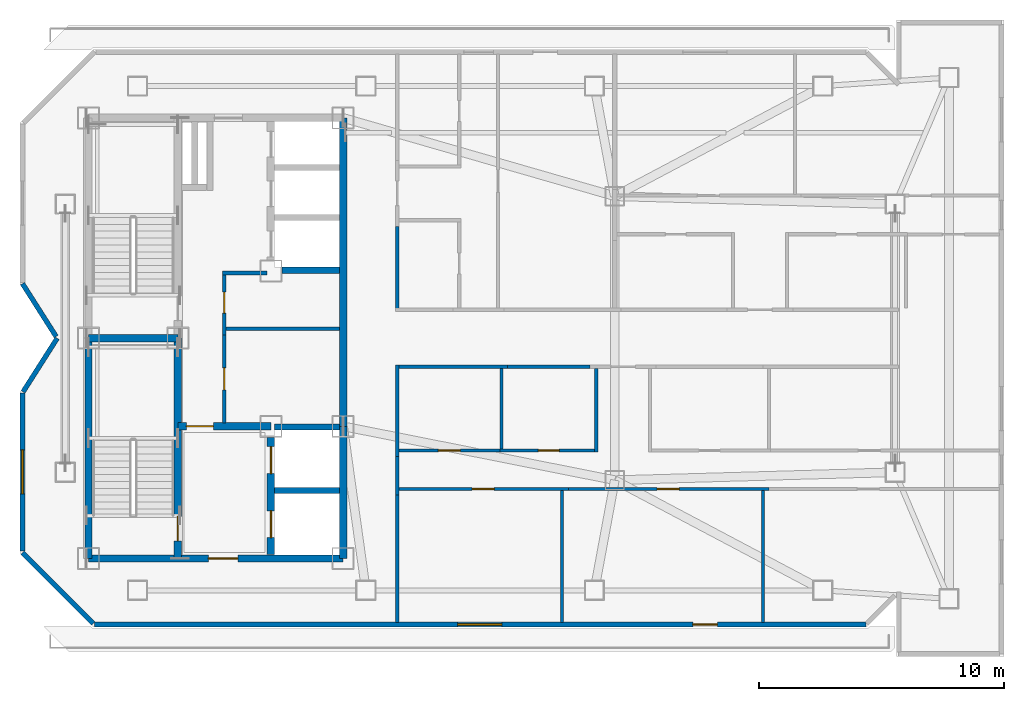
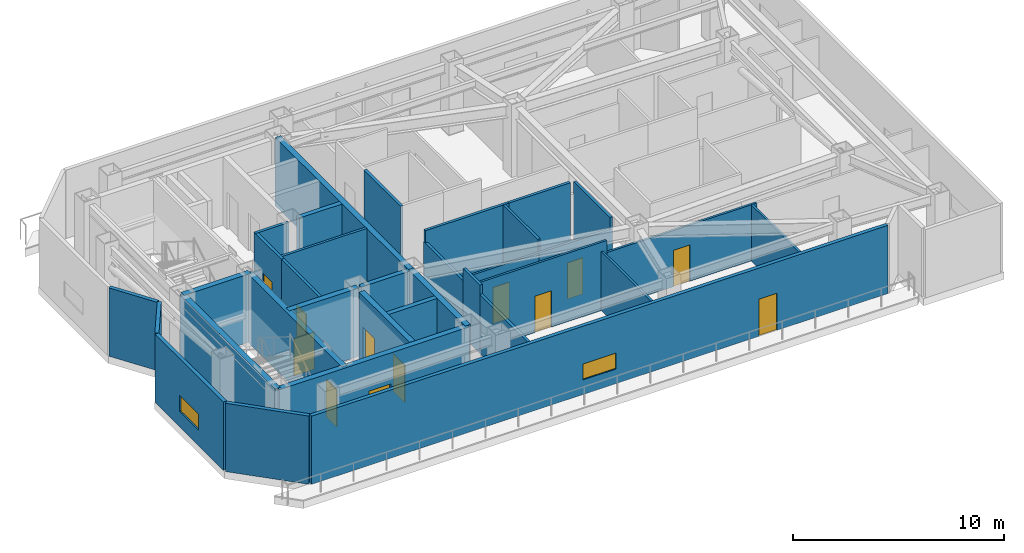
# One storey, part 4 of 10: 34 walls, 12 doors, 2 windows, 14 openings.
"""IFC4 building model written with IfcOpenShell, lengths in metres."""

from ifc_helpers import new_model, si_unit, direction, frame, frame_2d, origin, place, context, subcontext, project, spatial, rectangle, extrude, material, layer, layer_set, type_object, element, fill, save


model = new_model("IFC4")

# Units and contexts
model_context = context("Model", 3, precision=1e-05, world=origin(), true_north=direction((0.0, 1.0)))
body_context = subcontext(model_context, "Body", "Model", "MODEL_VIEW")
ifc_project = project(units=[si_unit("LENGTHUNIT", "METRE"), si_unit("AREAUNIT", "SQUARE_METRE"), si_unit("VOLUMEUNIT", "CUBIC_METRE"), si_unit("PLANEANGLEUNIT", "RADIAN"), si_unit("MASSUNIT", "GRAM", prefix="KILO")], contexts=[model_context])

# Site, building, storey
site_placement = place(None, origin())
site = spatial("IfcSite", under=ifc_project, at=site_placement, CompositionType="ELEMENT")
building_placement = place(site_placement, origin())
building = spatial("IfcBuilding", under=site, at=building_placement, Name="Khamvora Tower", CompositionType="ELEMENT")
storey_placement = place(building_placement, frame((0.0, 0.0, 294.64990234375)))
storey = spatial("IfcBuildingStorey", under=building, at=storey_placement, Name="L75", CompositionType="ELEMENT", Elevation=294.64990234375)

# Wall
ifc_material_1 = material(Name="Concrete C50/60", Category="concrete")
ifc_layer_1 = layer(ifc_material_1, 0.300048828125)
ifc_layer_set_1 = layer_set([ifc_layer_1], Name="Concrete C50/60")
wall_type_1 = type_object("IfcWallType", Name="WAL-CORE-300", PredefinedType="SHEAR", material=ifc_layer_set_1)
wall_1_placement = place(storey_placement, frame((29.0, 19.0, 0.0), z_axis=(0.0, 0.0, 1.0), x_axis=(0.0, 1.0, 0.0)))
element("IfcWall", 1, at=wall_1_placement, inside=storey, type_object=wall_type_1, Name="L75 central core west south wall", PredefinedType="SHEAR", context=body_context, shape_type="SweptSolid", body=[
    extrude(rectangle(XDim=9.0, YDim=0.300048828125, at=frame_2d((4.5, 0.0))), origin(), (0.0, 0.0, 1.0), 3.9501953125),
])

# Wall, opening, door
wall_2_placement = place(storey_placement, frame((29.0, 19.0, 0.0), z_axis=(0.0, 0.0, 1.0), x_axis=(1.0, 0.0, 0.0)))
wall_2 = element("IfcWall", 2, at=wall_2_placement, inside=storey, type_object=wall_type_1, Name="L75 central core south wall", PredefinedType="SHEAR", context=body_context, shape_type="SweptSolid", body=[
    extrude(rectangle(XDim=10.39990234375, YDim=0.300048828125, at=frame_2d((5.199951171875, 0.0))), origin(), (0.0, 0.0, 1.0), 3.9501953125),
])
opening_1_placement = place(wall_2_placement, frame((4.89990234375, 0.0, 0.0)))
opening_1 = element("IfcOpeningElement", 3, at=opening_1_placement, cuts=wall_2, Name="Opening D-CR1", PredefinedType="OPENING", context=body_context, shape_type="SweptSolid", body=[
    extrude(rectangle(XDim=1.199951171875, YDim=2.14990234375, at=frame_2d((0.60009765625, 1.074951171875))), frame((0.0, 0.159912109375, 0.0), z_axis=(0.0, -1.0, 0.0), x_axis=(1.0, 0.0, 0.0)), (0.0, 0.0, 1.0), 0.320068359375),
])
ifc_material_2 = material(Name="Powder-Coated Steel and Hardwood Leaf", Category="steel")
door_type_1 = type_object("IfcDoorType", Name="DOR-CORR-1200", OperationType="NOTDEFINED", PredefinedType="DOOR", material=ifc_material_2)
door_1_placement = place(opening_1_placement, origin())
door_1 = element("IfcDoor", 4, at=door_1_placement, inside=storey, type_object=door_type_1, Name="L75 south core lobby to corridor fire door", OperationType="SINGLE_SWING_LEFT", OverallHeight=2.14990234375, OverallWidth=1.199951171875, PredefinedType="DOOR", context=body_context, shape_type="SweptSolid", body=[
    extrude(rectangle(XDim=1.199951171875, YDim=2.14990234375, at=frame_2d((0.60009765625, 1.074951171875))), frame((0.0, 0.02490234375, 0.0), z_axis=(0.0, -1.0, 0.0), x_axis=(1.0, 0.0, 0.0)), (0.0, 0.0, 1.0), 0.050048828125),
])
fill(opening_1, door_1)

# Walls
wall_3_placement = place(storey_placement, frame((39.39990234375, 19.0, 0.0), z_axis=(0.0, 0.0, 1.0), x_axis=(0.0, 1.0, 0.0)))
element("IfcWall", 5, at=wall_3_placement, inside=storey, type_object=wall_type_1, Name="L75 central core east south wall", PredefinedType="SHEAR", context=body_context, shape_type="SweptSolid", body=[
    extrude(rectangle(XDim=5.39990234375, YDim=0.300048828125, at=frame_2d((2.699951171875, 0.0))), origin(), (0.0, 0.0, 1.0), 3.9501953125),
])
wall_4_placement = place(storey_placement, frame((39.39990234375, 24.39990234375, 0.0), z_axis=(0.0, 0.0, 1.0), x_axis=(0.0, 1.0, 0.0)))
element("IfcWall", 6, at=wall_4_placement, inside=storey, type_object=wall_type_1, Name="L75 central core east north wall", PredefinedType="SHEAR", context=body_context, shape_type="SweptSolid", body=[
    extrude(rectangle(XDim=12.60009765625, YDim=0.300048828125, at=frame_2d((6.300048828125, 0.0))), origin(), (0.0, 0.0, 1.0), 3.9501953125),
])

# Wall, opening, door
wall_5_placement = place(storey_placement, frame((32.64990234375, 19.0, 0.0), z_axis=(0.0, 0.0, 1.0), x_axis=(0.0, 1.0, 0.0)))
wall_5 = element("IfcWall", 7, at=wall_5_placement, inside=storey, type_object=wall_type_1, Name="L75 central core stair south spine wall", PredefinedType="SHEAR", context=body_context, shape_type="SweptSolid", body=[
    extrude(rectangle(XDim=9.0, YDim=0.300048828125, at=frame_2d((4.5, 0.0))), origin(), (0.0, 0.0, 1.0), 3.9501953125),
])
opening_2_placement = place(wall_5_placement, frame((0.719970703125, 0.0, 0.0)))
opening_2 = element("IfcOpeningElement", 8, at=opening_2_placement, cuts=wall_5, Name="Opening D-ST1", PredefinedType="OPENING", context=body_context, shape_type="SweptSolid", body=[
    extrude(rectangle(XDim=1.0, YDim=2.14990234375, at=frame_2d((0.5, 1.074951171875))), frame((0.0, 0.159912109375, 0.0), z_axis=(0.0, -1.0, 0.0), x_axis=(1.0, 0.0, 0.0)), (0.0, 0.0, 1.0), 0.320068359375),
])
door_type_2 = type_object("IfcDoorType", Name="DOR-STAIR-1000", OperationType="NOTDEFINED", PredefinedType="DOOR", material=ifc_material_2)
door_2_placement = place(opening_2_placement, origin())
door_2 = element("IfcDoor", 9, at=door_2_placement, inside=storey, type_object=door_type_2, Name="L75 exit stair ST-01 fire door", OperationType="SINGLE_SWING_RIGHT", OverallHeight=2.14990234375, OverallWidth=1.0, PredefinedType="DOOR", context=body_context, shape_type="SweptSolid", body=[
    extrude(rectangle(XDim=1.0, YDim=2.14990234375, at=frame_2d((0.5, 1.074951171875))), frame((0.0, 0.02490234375, 0.0), z_axis=(0.0, -1.0, 0.0), x_axis=(1.0, 0.0, 0.0)), (0.0, 0.0, 1.0), 0.050048828125),
])
fill(opening_2, door_2)

# Wall
wall_6_placement = place(storey_placement, frame((29.0, 28.0, 0.0), z_axis=(0.0, 0.0, 1.0), x_axis=(1.0, 0.0, 0.0)))
element("IfcWall", 10, at=wall_6_placement, inside=storey, type_object=wall_type_1, Name="L75 central core stair cross wall", PredefinedType="SHEAR", context=body_context, shape_type="SweptSolid", body=[
    extrude(rectangle(XDim=3.64990234375, YDim=0.300048828125, at=frame_2d((1.824951171875, 0.0))), origin(), (0.0, 0.0, 1.0), 3.9501953125),
])

# Wall, opening, door
wall_7_placement = place(storey_placement, frame((32.64990234375, 24.39990234375, 0.0), z_axis=(0.0, 0.0, 1.0), x_axis=(1.0, 0.0, 0.0)))
wall_7 = element("IfcWall", 11, at=wall_7_placement, inside=storey, type_object=wall_type_1, Name="L75 central core firefighting lobby north wall", PredefinedType="SHEAR", context=body_context, shape_type="SweptSolid", body=[
    extrude(rectangle(XDim=3.800048828125, YDim=0.300048828125, at=frame_2d((1.89990234375, 0.0))), origin(), (0.0, 0.0, 1.0), 3.9501953125),
])
opening_3_placement = place(wall_7_placement, frame((0.35009765625, 0.0, 0.0)))
opening_3 = element("IfcOpeningElement", 12, at=opening_3_placement, cuts=wall_7, Name="Opening D-FF1", PredefinedType="OPENING", context=body_context, shape_type="SweptSolid", body=[
    extrude(rectangle(XDim=1.10009765625, YDim=2.14990234375, at=frame_2d((0.550048828125, 1.074951171875))), frame((0.0, 0.159912109375, 0.0), z_axis=(0.0, -1.0, 0.0), x_axis=(1.0, 0.0, 0.0)), (0.0, 0.0, 1.0), 0.320068359375),
])
door_type_3 = type_object("IfcDoorType", Name="DOR-FFLOB-1100", OperationType="NOTDEFINED", PredefinedType="DOOR", material=ifc_material_2)
door_3_placement = place(opening_3_placement, origin())
door_3 = element("IfcDoor", 13, at=door_3_placement, inside=storey, type_object=door_type_3, Name="L75 firefighting lobby smoke-seal fire door", OperationType="SINGLE_SWING_RIGHT", OverallHeight=2.14990234375, OverallWidth=1.10009765625, PredefinedType="DOOR", context=body_context, shape_type="SweptSolid", body=[
    extrude(rectangle(XDim=1.10009765625, YDim=2.14990234375, at=frame_2d((0.550048828125, 1.074951171875))), frame((0.0, 0.02490234375, 0.0), z_axis=(0.0, -1.0, 0.0), x_axis=(1.0, 0.0, 0.0)), (0.0, 0.0, 1.0), 0.050048828125),
])
fill(opening_3, door_3)

# Wall, openings, doors
wall_8_placement = place(storey_placement, frame((36.449951171875, 19.154052734375, 0.0), z_axis=(0.0, 0.0, 1.0), x_axis=(0.0, 1.0, 0.0)))
wall_8 = element("IfcWall", 14, at=wall_8_placement, inside=storey, type_object=wall_type_1, Name="L75 central core lift bank south wall", PredefinedType="SHEAR", context=body_context, shape_type="SweptSolid", body=[
    extrude(rectangle(XDim=4.7958984375, YDim=0.300048828125, at=frame_2d((2.39794921875, 0.0))), origin(), (0.0, 0.0, 1.0), 3.9501953125),
])
opening_4_placement = place(wall_8_placement, frame((0.696044921875, 0.0, 0.0)))
opening_4 = element("IfcOpeningElement", 15, at=opening_4_placement, cuts=wall_8, Name="Opening LD-FFL", PredefinedType="OPENING", context=body_context, shape_type="SweptSolid", body=[
    extrude(rectangle(XDim=1.10009765625, YDim=2.14990234375, at=frame_2d((0.550048828125, 1.074951171875))), frame((0.0, 0.159912109375, 0.0), z_axis=(0.0, -1.0, 0.0), x_axis=(1.0, 0.0, 0.0)), (0.0, 0.0, 1.0), 0.320068359375),
])
opening_5_placement = place(wall_8_placement, frame((3.31591796875, 0.0, 0.0)))
opening_5 = element("IfcOpeningElement", 16, at=opening_5_placement, cuts=wall_8, Name="Opening LD-FFL", PredefinedType="OPENING", context=body_context, shape_type="SweptSolid", body=[
    extrude(rectangle(XDim=1.10009765625, YDim=2.14990234375, at=frame_2d((0.550048828125, 1.074951171875))), frame((0.0, 0.159912109375, 0.0), z_axis=(0.0, -1.0, 0.0), x_axis=(1.0, 0.0, 0.0)), (0.0, 0.0, 1.0), 0.320068359375),
])
door_type_4 = type_object("IfcDoorType", Name="DOR-LIFT-1100", OperationType="SLIDING_TO_LEFT", PredefinedType="DOOR", material=ifc_material_2)
door_4_placement = place(opening_4_placement, origin())
door_4 = element("IfcDoor", 17, at=door_4_placement, inside=storey, type_object=door_type_4, Name="L75 lift landing sliding door FFL-01", OperationType="SLIDING_TO_LEFT", OverallHeight=2.14990234375, OverallWidth=1.10009765625, PredefinedType="DOOR", context=body_context, shape_type="SweptSolid", body=[
    extrude(rectangle(XDim=1.10009765625, YDim=2.14990234375, at=frame_2d((0.550048828125, 1.074951171875))), frame((0.0, 0.02490234375, 0.0), z_axis=(0.0, -1.0, 0.0), x_axis=(1.0, 0.0, 0.0)), (0.0, 0.0, 1.0), 0.050048828125),
])
fill(opening_4, door_4)
door_5_placement = place(opening_5_placement, origin())
door_5 = element("IfcDoor", 18, at=door_5_placement, inside=storey, type_object=door_type_4, Name="L75 lift landing sliding door FFL-02", OperationType="SLIDING_TO_LEFT", OverallHeight=2.14990234375, OverallWidth=1.10009765625, PredefinedType="DOOR", context=body_context, shape_type="SweptSolid", body=[
    extrude(rectangle(XDim=1.10009765625, YDim=2.14990234375, at=frame_2d((0.550048828125, 1.074951171875))), frame((0.0, 0.02490234375, 0.0), z_axis=(0.0, -1.0, 0.0), x_axis=(1.0, 0.0, 0.0)), (0.0, 0.0, 1.0), 0.050048828125),
])
fill(opening_5, door_5)

# Wall
ifc_material_3 = material(Name="Fire-Rated Drywall and Steel Stud", Category="steel")
ifc_layer_2 = layer(ifc_material_3, 0.14990234375)
ifc_layer_set_2 = layer_set([ifc_layer_2], Name="Fire-Rated Drywall and Steel Stud")
wall_type_2 = type_object("IfcWallType", Name="WAL-CORR-150", PredefinedType="STANDARD", material=ifc_layer_set_2)
wall_9_placement = place(storey_placement, frame((36.300048828125, 30.6650390625, 0.0), z_axis=(0.0, 0.0, 1.0), x_axis=(-1.0, 0.0, 0.0)))
element("IfcWall", 19, at=wall_9_placement, inside=storey, type_object=wall_type_2, Name="L75 interior partition wall 001", PredefinedType="STANDARD", context=body_context, shape_type="SweptSolid", body=[
    extrude(rectangle(XDim=1.820068359375, YDim=0.14990234375, at=frame_2d((0.91015625, 0.0))), origin(), (0.0, 0.0, 1.0), 3.9501953125),
])

# Wall, opening, door
wall_10_placement = place(storey_placement, frame((34.544921875, 30.72998046875, 0.0), z_axis=(0.0, 0.0, 1.0), x_axis=(0.0, -1.0, 0.0)))
wall_10 = element("IfcWall", 20, at=wall_10_placement, inside=storey, type_object=wall_type_2, Name="L75 interior partition wall 002", PredefinedType="STANDARD", context=body_context, shape_type="SweptSolid", body=[
    extrude(rectangle(XDim=2.593994140625, YDim=0.14990234375, at=frame_2d((1.296875, 0.0))), origin(), (0.0, 0.0, 1.0), 3.9501953125),
])
opening_6_placement = place(wall_10_placement, frame((0.85107421875, 0.0, 0.0)))
opening_6 = element("IfcOpeningElement", 21, at=opening_6_placement, cuts=wall_10, Name="Opening D-WC1", PredefinedType="OPENING", context=body_context, shape_type="SweptSolid", body=[
    extrude(rectangle(XDim=0.85009765625, YDim=2.10009765625, at=frame_2d((0.425048828125, 1.050048828125))), frame((0.0, 0.0849609375, 0.0), z_axis=(0.0, -1.0, 0.0), x_axis=(1.0, 0.0, 0.0)), (0.0, 0.0, 1.0), 0.169921875),
])
door_type_5 = type_object("IfcDoorType", Name="DOR-WET-850", OperationType="NOTDEFINED", PredefinedType="DOOR", material=ifc_material_2)
door_6_placement = place(opening_6_placement, origin())
door_6 = element("IfcDoor", 22, at=door_6_placement, inside=storey, type_object=door_type_5, Name="L75 interior door PHL-CS1", OperationType="SINGLE_SWING_LEFT", OverallHeight=2.10009765625, OverallWidth=0.85009765625, PredefinedType="DOOR", context=body_context, shape_type="SweptSolid", body=[
    extrude(rectangle(XDim=0.85009765625, YDim=2.10009765625, at=frame_2d((0.425048828125, 1.050048828125))), frame((0.0, 0.02490234375, 0.0), z_axis=(0.0, -1.0, 0.0), x_axis=(1.0, 0.0, 0.0)), (0.0, 0.0, 1.0), 0.050048828125),
])
fill(opening_6, door_6)

wall_11_placement = place(storey_placement, frame((34.544921875, 28.135986328125, 0.0), z_axis=(0.0, 0.0, 1.0), x_axis=(0.0, -1.0, 0.0)))
wall_11 = element("IfcWall", 23, at=wall_11_placement, inside=storey, type_object=wall_type_2, Name="L75 interior partition wall 003", PredefinedType="STANDARD", context=body_context, shape_type="SweptSolid", body=[
    extrude(rectangle(XDim=3.592041015625, YDim=0.14990234375, at=frame_2d((1.7958984375, 0.0))), origin(), (0.0, 0.0, 1.0), 3.9501953125),
])
opening_7_placement = place(wall_11_placement, frame((1.345947265625, 0.0, 0.0)))
opening_7 = element("IfcOpeningElement", 24, at=opening_7_placement, cuts=wall_11, Name="Opening D-RM1", PredefinedType="OPENING", context=body_context, shape_type="SweptSolid", body=[
    extrude(rectangle(XDim=0.89990234375, YDim=2.10009765625, at=frame_2d((0.449951171875, 1.050048828125))), frame((0.0, 0.0849609375, 0.0), z_axis=(0.0, -1.0, 0.0), x_axis=(1.0, 0.0, 0.0)), (0.0, 0.0, 1.0), 0.169921875),
])
door_type_6 = type_object("IfcDoorType", Name="DOR-ROOM-900", OperationType="NOTDEFINED", PredefinedType="DOOR", material=ifc_material_2)
door_7_placement = place(opening_7_placement, origin())
door_7 = element("IfcDoor", 25, at=door_7_placement, inside=storey, type_object=door_type_6, Name="L75 interior door PHL-CS2", OperationType="SINGLE_SWING_RIGHT", OverallHeight=2.10009765625, OverallWidth=0.89990234375, PredefinedType="DOOR", context=body_context, shape_type="SweptSolid", body=[
    extrude(rectangle(XDim=0.89990234375, YDim=2.10009765625, at=frame_2d((0.449951171875, 1.050048828125))), frame((0.0, 0.02490234375, 0.0), z_axis=(0.0, -1.0, 0.0), x_axis=(1.0, 0.0, 0.0)), (0.0, 0.0, 1.0), 0.050048828125),
])
fill(opening_7, door_7)

# Walls
wall_12_placement = place(storey_placement, frame((46.1201171875, 26.8349609375, 0.0), z_axis=(0.0, 0.0, 1.0), x_axis=(-1.0, 0.0, 0.0)))
element("IfcWall", 26, at=wall_12_placement, inside=storey, type_object=wall_type_2, Name="L75 interior partition wall 005", PredefinedType="STANDARD", context=body_context, shape_type="SweptSolid", body=[
    extrude(rectangle(XDim=4.570068359375, YDim=0.14990234375, at=frame_2d((2.28515625, 0.0))), origin(), (0.0, 0.0, 1.0), 3.9501953125),
])
wall_13_placement = place(storey_placement, frame((41.614990234375, 26.89794921875, 0.0), z_axis=(0.0, 0.0, 1.0), x_axis=(0.0, -1.0, 0.0)))
element("IfcWall", 27, at=wall_13_placement, inside=storey, type_object=wall_type_2, Name="L75 interior partition wall 006", PredefinedType="STANDARD", context=body_context, shape_type="SweptSolid", body=[
    extrude(rectangle(XDim=3.73095703125, YDim=0.14990234375, at=frame_2d((1.865478515625, 0.0))), origin(), (0.0, 0.0, 1.0), 3.2451171875),
])
wall_14_placement = place(storey_placement, frame((41.614990234375, 23.1669921875, 0.0), z_axis=(0.0, 0.0, 1.0), x_axis=(0.0, -1.0, 0.0)))
element("IfcWall", 28, at=wall_14_placement, inside=storey, type_object=wall_type_2, Name="L75 interior partition wall 009", PredefinedType="STANDARD", context=body_context, shape_type="SweptSolid", body=[
    extrude(rectangle(XDim=1.580078125, YDim=0.14990234375, at=frame_2d((0.7900390625, 0.0))), origin(), (0.0, 0.0, 1.0), 3.9501953125),
])
wall_15_placement = place(storey_placement, frame((49.487060546875, 26.8349609375, 0.0), z_axis=(0.0, 0.0, 1.0), x_axis=(-1.0, 0.0, 0.0)))
element("IfcWall", 29, at=wall_15_placement, inside=storey, type_object=wall_type_2, Name="L75 interior partition wall 010", PredefinedType="STANDARD", context=body_context, shape_type="SweptSolid", body=[
    extrude(rectangle(XDim=3.366943359375, YDim=0.14990234375, at=frame_2d((1.68359375, 0.0))), origin(), (0.0, 0.0, 1.0), 3.9501953125),
])
wall_16_placement = place(storey_placement, frame((41.614990234375, 21.5869140625, 0.0), z_axis=(0.0, 0.0, 1.0), x_axis=(0.0, -1.0, 0.0)))
element("IfcWall", 30, at=wall_16_placement, inside=storey, type_object=wall_type_2, Name="L75 interior partition wall 012", PredefinedType="STANDARD", context=body_context, shape_type="SweptSolid", body=[
    extrude(rectangle(XDim=5.19482421875, YDim=0.14990234375, at=frame_2d((2.597412109375, 0.0))), origin(), (0.0, 0.0, 1.0), 3.406982421875),
])
wall_17_placement = place(storey_placement, frame((41.614990234375, 32.56689453125, 0.0), z_axis=(0.0, 0.0, 1.0), x_axis=(0.0, -1.0, 0.0)))
element("IfcWall", 31, at=wall_17_placement, inside=storey, type_object=wall_type_2, Name="L75 interior partition wall 016", PredefinedType="STANDARD", context=body_context, shape_type="SweptSolid", body=[
    extrude(rectangle(XDim=3.46484375, YDim=0.14990234375, at=frame_2d((1.732421875, 0.0))), origin(), (0.0, 0.0, 1.0), 3.9501953125),
])

# Wall, openings, door, window
ifc_material_4 = material(Name="Precast concrete C40/50", Category="concrete")
ifc_layer_3 = layer(ifc_material_4, 0.199951171875)
ifc_layer_set_3 = layer_set([ifc_layer_3], Name="Precast concrete C40/50")
wall_type_3 = type_object("IfcWallType", Name="WAL-EXT-200", PredefinedType="STANDARD", material=ifc_layer_set_3)
wall_18_placement = place(storey_placement, frame((60.759033203125, 16.300048828125, 0.0), z_axis=(0.0, 0.0, 1.0), x_axis=(-1.0, 0.0, 0.0)))
wall_18 = element("IfcWall", 32, at=wall_18_placement, inside=storey, type_object=wall_type_3, Name="L75 exterior facade wall 01.1", PredefinedType="STANDARD", context=body_context, shape_type="SweptSolid", body=[
    extrude(rectangle(XDim=31.51806640625, YDim=0.199951171875, at=frame_2d((15.759033203125, 0.0))), origin(), (0.0, 0.0, 1.0), 3.9501953125),
])
opening_8_placement = place(wall_18_placement, frame((6.06591796875, 0.0, 0.0)))
opening_8 = element("IfcOpeningElement", 33, at=opening_8_placement, cuts=wall_18, Name="Opening BD-02", PredefinedType="OPENING", context=body_context, shape_type="SweptSolid", body=[
    extrude(rectangle(XDim=1.0, YDim=2.14990234375, at=frame_2d((0.5, 1.074951171875))), frame((0.0, 0.10986328125, 0.0), z_axis=(0.0, -1.0, 0.0), x_axis=(1.0, 0.0, 0.0)), (0.0, 0.0, 1.0), 0.219970703125),
])
opening_9_placement = place(wall_18_placement, frame((14.876953125, 0.0, 0.85009765625)))
opening_9 = element("IfcOpeningElement", 34, at=opening_9_placement, cuts=wall_18, Name="Opening WN-09", PredefinedType="OPENING", context=body_context, shape_type="SweptSolid", body=[
    extrude(rectangle(XDim=1.800048828125, YDim=0.919921875, at=frame_2d((0.89990234375, 0.4599609375))), frame((0.0, 0.10986328125, 0.0), z_axis=(0.0, -1.0, 0.0), x_axis=(1.0, 0.0, 0.0)), (0.0, 0.0, 1.0), 0.219970703125),
])
ifc_material_5 = material(Name="Anodised Aluminium and Laminated Safety Glass", Category="aluminium")
door_type_7 = type_object("IfcDoorType", Name="DOR-BAL-1000", OperationType="NOTDEFINED", PredefinedType="DOOR", material=ifc_material_5)
door_8_placement = place(opening_8_placement, origin())
door_8 = element("IfcDoor", 35, at=door_8_placement, inside=storey, type_object=door_type_7, Name="L75 stepped roof terrace access door S", OperationType="SLIDING_TO_LEFT", OverallHeight=2.14990234375, OverallWidth=1.0, PredefinedType="DOOR", context=body_context, shape_type="SweptSolid", body=[
    extrude(rectangle(XDim=1.0, YDim=2.14990234375, at=frame_2d((0.5, 1.074951171875))), frame((0.0, 0.02490234375, 0.0), z_axis=(0.0, -1.0, 0.0), x_axis=(1.0, 0.0, 0.0)), (0.0, 0.0, 1.0), 0.050048828125),
])
fill(opening_8, door_8)
ifc_material_6 = material(Name="Low-E Laminated Double Glazing", Category="glass")
window_type = type_object("IfcWindowType", Name="WIN-CLR-1800x920", PartitioningType="SINGLE_PANEL", PredefinedType="WINDOW", material=ifc_material_6)
window_1_placement = place(opening_9_placement, origin())
window_1 = element("IfcWindow", 36, at=window_1_placement, inside=storey, type_object=window_type, Name="L75 vision window 01.1.01", OverallHeight=0.919921875, OverallWidth=1.800048828125, PartitioningType="SINGLE_PANEL", PredefinedType="WINDOW", context=body_context, shape_type="SweptSolid", body=[
    extrude(rectangle(XDim=1.800048828125, YDim=0.919921875, at=frame_2d((0.89990234375, 0.4599609375))), frame((0.0, 0.030029296875, 0.0), z_axis=(0.0, -1.0, 0.0), x_axis=(1.0, 0.0, 0.0)), (0.0, 0.0, 1.0), 0.06005859375),
])
fill(opening_9, window_1)

# Wall
wall_19_placement = place(storey_placement, frame((29.196044921875, 16.344970703125, 0.0), z_axis=(0.0, 0.0, 1.0), x_axis=(-0.707106781187, 0.707106781187, 0.0)))
element("IfcWall", 37, at=wall_19_placement, inside=storey, type_object=wall_type_3, Name="L75 exterior facade wall 02.1", PredefinedType="STANDARD", context=body_context, shape_type="SweptSolid", body=[
    extrude(rectangle(XDim=4.095458984375, YDim=0.199951171875, at=frame_2d((2.0478515625, 0.0))), origin(), (0.0, 0.0, 1.0), 3.9501953125),
])

# Wall, opening, window
wall_20_placement = place(storey_placement, frame((26.300048828125, 19.303955078125, 0.0), z_axis=(0.0, 0.0, 1.0), x_axis=(0.0, 1.0, 0.0)))
wall_20 = element("IfcWall", 38, at=wall_20_placement, inside=storey, type_object=wall_type_3, Name="L75 exterior facade wall 03.1", PredefinedType="STANDARD", context=body_context, shape_type="SweptSolid", body=[
    extrude(rectangle(XDim=6.467041015625, YDim=0.199951171875, at=frame_2d((3.2333984375, 0.0))), origin(), (0.0, 0.0, 1.0), 3.9501953125),
])
opening_10_placement = place(wall_20_placement, frame((2.333984375, 0.0, 0.89990234375)))
opening_10 = element("IfcOpeningElement", 39, at=opening_10_placement, cuts=wall_20, Name="Opening WN-09", PredefinedType="OPENING", context=body_context, shape_type="SweptSolid", body=[
    extrude(rectangle(XDim=1.800048828125, YDim=0.919921875, at=frame_2d((0.89990234375, 0.4599609375))), frame((0.0, 0.10986328125, 0.0), z_axis=(0.0, -1.0, 0.0), x_axis=(1.0, 0.0, 0.0)), (0.0, 0.0, 1.0), 0.219970703125),
])
window_2_placement = place(opening_10_placement, origin())
window_2 = element("IfcWindow", 40, at=window_2_placement, inside=storey, type_object=window_type, Name="L75 vision window 03.1.01", OverallHeight=0.919921875, OverallWidth=1.800048828125, PartitioningType="SINGLE_PANEL", PredefinedType="WINDOW", context=body_context, shape_type="SweptSolid", body=[
    extrude(rectangle(XDim=1.800048828125, YDim=0.919921875, at=frame_2d((0.89990234375, 0.4599609375))), frame((0.0, 0.030029296875, 0.0), z_axis=(0.0, -1.0, 0.0), x_axis=(1.0, 0.0, 0.0)), (0.0, 0.0, 1.0), 0.06005859375),
])
fill(opening_10, window_2)

# Walls
wall_21_placement = place(storey_placement, frame((26.322998046875, 25.80810546875, 0.0), z_axis=(0.0, 0.0, 1.0), x_axis=(0.53719156007, 0.843460270428, 0.0)))
element("IfcWall", 41, at=wall_21_placement, inside=storey, type_object=wall_type_3, Name="L75 exterior facade wall 04.1", PredefinedType="STANDARD", context=body_context, shape_type="SweptSolid", body=[
    extrude(rectangle(XDim=2.5986328125, YDim=0.199951171875, at=frame_2d((1.29931640625, 0.0))), origin(), (0.0, 0.0, 1.0), 3.9501953125),
])
wall_22_placement = place(storey_placement, frame((27.675048828125, 28.068115234375, 0.0), z_axis=(0.0, 0.0, 1.0), x_axis=(-0.536844652872, 0.843681111963, 0.0)))
element("IfcWall", 42, at=wall_22_placement, inside=storey, type_object=wall_type_3, Name="L75 exterior facade wall 05.1", PredefinedType="STANDARD", context=body_context, shape_type="SweptSolid", body=[
    extrude(rectangle(XDim=2.561279296875, YDim=0.199951171875, at=frame_2d((1.28076171875, 0.0))), origin(), (0.0, 0.0, 1.0), 3.9501953125),
])

# Wall, opening, door
ifc_material_7 = material(Name="Gypsum Plasterboard Partition", Category="gypsum")
ifc_layer_4 = layer(ifc_material_7, 0.1201171875)
ifc_layer_set_4 = layer_set([ifc_layer_4], Name="Gypsum Plasterboard Partition")
wall_type_4 = type_object("IfcWallType", Name="WAL-PART-120", PredefinedType="PARTITIONING", material=ifc_layer_set_4)
wall_23_placement = place(storey_placement, frame((45.805908203125, 23.416015625, 0.0), z_axis=(0.0, 0.0, 1.0), x_axis=(-1.0, 0.0, 0.0)))
wall_23 = element("IfcWall", 43, at=wall_23_placement, inside=storey, type_object=wall_type_4, Name="L75 interior partition wall 022", PredefinedType="PARTITIONING", context=body_context, shape_type="SweptSolid", body=[
    extrude(rectangle(XDim=4.1240234375, YDim=0.1201171875, at=frame_2d((2.06201171875, 0.0))), origin(), (0.0, 0.0, 1.0), 3.2451171875),
])
opening_11_placement = place(wall_23_placement, frame((1.612060546875, 0.0, 0.0)))
opening_11 = element("IfcOpeningElement", 44, at=opening_11_placement, cuts=wall_23, Name="Opening D-RM1", PredefinedType="OPENING", context=body_context, shape_type="SweptSolid", body=[
    extrude(rectangle(XDim=0.89990234375, YDim=2.10009765625, at=frame_2d((0.449951171875, 1.050048828125))), frame((0.0, 0.070068359375, 0.0), z_axis=(0.0, -1.0, 0.0), x_axis=(1.0, 0.0, 0.0)), (0.0, 0.0, 1.0), 0.14013671875),
])
door_9_placement = place(opening_11_placement, origin())
door_9 = element("IfcDoor", 45, at=door_9_placement, inside=storey, type_object=door_type_6, Name="L75 interior door 75BW1-75BH", OperationType="SINGLE_SWING_RIGHT", OverallHeight=2.10009765625, OverallWidth=0.89990234375, PredefinedType="DOOR", context=body_context, shape_type="SweptSolid", body=[
    extrude(rectangle(XDim=0.89990234375, YDim=2.10009765625, at=frame_2d((0.449951171875, 1.050048828125))), frame((0.0, 0.02490234375, 0.0), z_axis=(0.0, -1.0, 0.0), x_axis=(1.0, 0.0, 0.0)), (0.0, 0.0, 1.0), 0.050048828125),
])
fill(opening_11, door_9)

wall_24_placement = place(storey_placement, frame((48.59912109375, 21.8359375, 0.0), z_axis=(0.0, 0.0, 1.0), x_axis=(-1.0, 0.0, 0.0)))
wall_24 = element("IfcWall", 46, at=wall_24_placement, inside=storey, type_object=wall_type_4, Name="L75 interior partition wall 030", PredefinedType="PARTITIONING", context=body_context, shape_type="SweptSolid", body=[
    extrude(rectangle(XDim=6.917236328125, YDim=0.1201171875, at=frame_2d((3.45849609375, 0.0))), origin(), (0.0, 0.0, 1.0), 3.9501953125),
])
opening_12_placement = place(wall_24_placement, frame((3.030029296875, 0.0, 0.0)))
opening_12 = element("IfcOpeningElement", 47, at=opening_12_placement, cuts=wall_24, Name="Opening D-RM1", PredefinedType="OPENING", context=body_context, shape_type="SweptSolid", body=[
    extrude(rectangle(XDim=0.89990234375, YDim=2.10009765625, at=frame_2d((0.449951171875, 1.050048828125))), frame((0.0, 0.070068359375, 0.0), z_axis=(0.0, -1.0, 0.0), x_axis=(1.0, 0.0, 0.0)), (0.0, 0.0, 1.0), 0.14013671875),
])
door_10_placement = place(opening_12_placement, origin())
door_10 = element("IfcDoor", 48, at=door_10_placement, inside=storey, type_object=door_type_6, Name="L75 interior door 75BH-75BR1", OperationType="SINGLE_SWING_RIGHT", OverallHeight=2.10009765625, OverallWidth=0.89990234375, PredefinedType="DOOR", context=body_context, shape_type="SweptSolid", body=[
    extrude(rectangle(XDim=0.89990234375, YDim=2.10009765625, at=frame_2d((0.449951171875, 1.050048828125))), frame((0.0, 0.02490234375, 0.0), z_axis=(0.0, -1.0, 0.0), x_axis=(1.0, 0.0, 0.0)), (0.0, 0.0, 1.0), 0.050048828125),
])
fill(opening_12, door_10)

wall_25_placement = place(storey_placement, frame((56.802001953125, 21.8359375, 0.0), z_axis=(0.0, 0.0, 1.0), x_axis=(-1.0, 0.0, 0.0)))
wall_25 = element("IfcWall", 49, at=wall_25_placement, inside=storey, type_object=wall_type_4, Name="L75 interior partition wall 031", PredefinedType="PARTITIONING", context=body_context, shape_type="SweptSolid", body=[
    extrude(rectangle(XDim=8.202880859375, YDim=0.1201171875, at=frame_2d((4.1015625, 0.0))), origin(), (0.0, 0.0, 1.0), 3.2451171875),
])
opening_13_placement = place(wall_25_placement, frame((3.672119140625, 0.0, 0.0)))
opening_13 = element("IfcOpeningElement", 50, at=opening_13_placement, cuts=wall_25, Name="Opening D-RM1", PredefinedType="OPENING", context=body_context, shape_type="SweptSolid", body=[
    extrude(rectangle(XDim=0.89990234375, YDim=2.10009765625, at=frame_2d((0.449951171875, 1.050048828125))), frame((0.0, 0.070068359375, 0.0), z_axis=(0.0, -1.0, 0.0), x_axis=(1.0, 0.0, 0.0)), (0.0, 0.0, 1.0), 0.14013671875),
])
door_11_placement = place(opening_13_placement, origin())
door_11 = element("IfcDoor", 51, at=door_11_placement, inside=storey, type_object=door_type_6, Name="L75 interior door 75BH-75BR2", OperationType="SINGLE_SWING_LEFT", OverallHeight=2.10009765625, OverallWidth=0.89990234375, PredefinedType="DOOR", context=body_context, shape_type="SweptSolid", body=[
    extrude(rectangle(XDim=0.89990234375, YDim=2.10009765625, at=frame_2d((0.449951171875, 1.050048828125))), frame((0.0, 0.02490234375, 0.0), z_axis=(0.0, -1.0, 0.0), x_axis=(1.0, 0.0, 0.0)), (0.0, 0.0, 1.0), 0.050048828125),
])
fill(opening_13, door_11)

# Walls
wall_26_placement = place(storey_placement, frame((48.34912109375, 21.781982421875, 0.0), z_axis=(0.0, 0.0, 1.0), x_axis=(0.0, -1.0, 0.0)))
element("IfcWall", 52, at=wall_26_placement, inside=storey, type_object=wall_type_4, Name="L75 interior partition wall 033", PredefinedType="PARTITIONING", context=body_context, shape_type="SweptSolid", body=[
    extrude(rectangle(XDim=5.389892578125, YDim=0.1201171875, at=frame_2d((2.69482421875, 0.0))), origin(), (0.0, 0.0, 1.0), 3.406982421875),
])
wall_27_placement = place(storey_placement, frame((56.552978515625, 21.781982421875, 0.0), z_axis=(0.0, 0.0, 1.0), x_axis=(0.0, -1.0, 0.0)))
element("IfcWall", 53, at=wall_27_placement, inside=storey, type_object=wall_type_4, Name="L75 interior partition wall 034", PredefinedType="PARTITIONING", context=body_context, shape_type="SweptSolid", body=[
    extrude(rectangle(XDim=5.389892578125, YDim=0.1201171875, at=frame_2d((2.69482421875, 0.0))), origin(), (0.0, 0.0, 1.0), 3.2451171875),
])
ifc_material_8 = material(Name="Concrete C40/50", Category="concrete")
ifc_layer_5 = layer(ifc_material_8, 0.25)
ifc_layer_set_5 = layer_set([ifc_layer_5], Name="Concrete C40/50")
wall_type_5 = type_object("IfcWallType", Name="WAL-PODS-250", PredefinedType="SHEAR", material=ifc_layer_set_5)
for number, where, z_axis, x_axis, name in (
    (54, (36.60400390625, 21.77490234375, 0.0), (0.0, 0.0, 1.0), (1.0, 0.0, 0.0), "L75 lift shaft divider wall FFL-01"),
    (55, (36.60400390625, 24.375, 0.0), (0.0, 0.0, 1.0), (1.0, 0.0, 0.0), "L75 lift shaft divider wall FFL-02"),
):
    element("IfcWall", number, at=place(storey_placement, frame(where, z_axis=z_axis, x_axis=x_axis)), inside=storey, type_object=wall_type_5, Name=name, PredefinedType="SHEAR", context=body_context, shape_type="SweptSolid", body=[
        extrude(rectangle(XDim=2.64208984375, YDim=0.25, at=frame_2d((1.321044921875, 0.0))), origin(), (0.0, 0.0, 1.0), 3.9501953125),
    ])
wall_28_placement = place(storey_placement, frame((36.904052734375, 30.77490234375, 0.0), z_axis=(0.0, 0.0, 1.0), x_axis=(1.0, 0.0, 0.0)))
element("IfcWall", 56, at=wall_28_placement, inside=storey, type_object=wall_type_5, Name="L75 high-rise lift shaft south enclosure wall PH-01", PredefinedType="SHEAR", context=body_context, shape_type="SweptSolid", body=[
    extrude(rectangle(XDim=2.342041015625, YDim=0.25, at=frame_2d((1.1708984375, 0.0))), origin(), (0.0, 0.0, 1.0), 3.9501953125),
])
ifc_material_9 = material(Name="Moisture-Resistant Plasterboard Partition", Category="gypsum")
ifc_layer_6 = layer(ifc_material_9, 0.135009765625)
ifc_layer_set_6 = layer_set([ifc_layer_6], Name="Moisture-Resistant Plasterboard Partition")
wall_type_6 = type_object("IfcWallType", Name="WAL-WET-135", PredefinedType="PARTITIONING", material=ifc_layer_set_6)
wall_29_placement = place(storey_placement, frame((39.256103515625, 28.385009765625, 0.0), z_axis=(0.0, 0.0, 1.0), x_axis=(-1.0, 0.0, 0.0)))
element("IfcWall", 57, at=wall_29_placement, inside=storey, type_object=wall_type_6, Name="L75 interior partition wall 004", PredefinedType="PARTITIONING", context=body_context, shape_type="SweptSolid", body=[
    extrude(rectangle(XDim=4.64404296875, YDim=0.135009765625, at=frame_2d((2.322021484375, 0.0))), origin(), (0.0, 0.0, 1.0), 3.9501953125),
])
wall_30_placement = place(storey_placement, frame((45.87109375, 26.77001953125, 0.0), z_axis=(0.0, 0.0, 1.0), x_axis=(0.0, -1.0, 0.0)))
element("IfcWall", 58, at=wall_30_placement, inside=storey, type_object=wall_type_6, Name="L75 interior partition wall 023", PredefinedType="PARTITIONING", context=body_context, shape_type="SweptSolid", body=[
    extrude(rectangle(XDim=3.2890625, YDim=0.135009765625, at=frame_2d((1.64453125, 0.0))), origin(), (0.0, 0.0, 1.0), 3.9501953125),
])

# Wall, opening, door
wall_31_placement = place(storey_placement, frame((45.805908203125, 23.416015625, 0.0), z_axis=(0.0, 0.0, 1.0), x_axis=(1.0, 0.0, 0.0)))
wall_31 = element("IfcWall", 59, at=wall_31_placement, inside=storey, type_object=wall_type_6, Name="L75 interior partition wall 026", PredefinedType="PARTITIONING", context=body_context, shape_type="SweptSolid", body=[
    extrude(rectangle(XDim=3.9951171875, YDim=0.135009765625, at=frame_2d((1.99755859375, 0.0))), origin(), (0.0, 0.0, 1.0), 3.2451171875),
])
opening_14_placement = place(wall_31_placement, frame((1.572998046875, 0.0, 0.0)))
opening_14 = element("IfcOpeningElement", 60, at=opening_14_placement, cuts=wall_31, Name="Opening D-WC1", PredefinedType="OPENING", context=body_context, shape_type="SweptSolid", body=[
    extrude(rectangle(XDim=0.85009765625, YDim=2.10009765625, at=frame_2d((0.425048828125, 1.050048828125))), frame((0.0, 0.077392578125, 0.0), z_axis=(0.0, -1.0, 0.0), x_axis=(1.0, 0.0, 0.0)), (0.0, 0.0, 1.0), 0.155029296875),
])
door_12_placement = place(opening_14_placement, origin())
door_12 = element("IfcDoor", 61, at=door_12_placement, inside=storey, type_object=door_type_5, Name="L75 interior door 75BH-75BB", OperationType="SINGLE_SWING_RIGHT", OverallHeight=2.10009765625, OverallWidth=0.85009765625, PredefinedType="DOOR", context=body_context, shape_type="SweptSolid", body=[
    extrude(rectangle(XDim=0.85009765625, YDim=2.10009765625, at=frame_2d((0.425048828125, 1.050048828125))), frame((0.0, 0.02490234375, 0.0), z_axis=(0.0, -1.0, 0.0), x_axis=(1.0, 0.0, 0.0)), (0.0, 0.0, 1.0), 0.050048828125),
])
fill(opening_14, door_12)

# Wall
wall_32_placement = place(storey_placement, frame((49.736083984375, 23.35107421875, 0.0), z_axis=(0.0, 0.0, 1.0), x_axis=(0.0, 1.0, 0.0)))
element("IfcWall", 62, at=wall_32_placement, inside=storey, type_object=wall_type_6, Name="L75 interior partition wall 027", PredefinedType="PARTITIONING", context=body_context, shape_type="SweptSolid", body=[
    extrude(rectangle(XDim=3.4189453125, YDim=0.135009765625, at=frame_2d((1.70947265625, 0.0))), origin(), (0.0, 0.0, 1.0), 3.9501953125),
])

save(model, "model.ifc")
